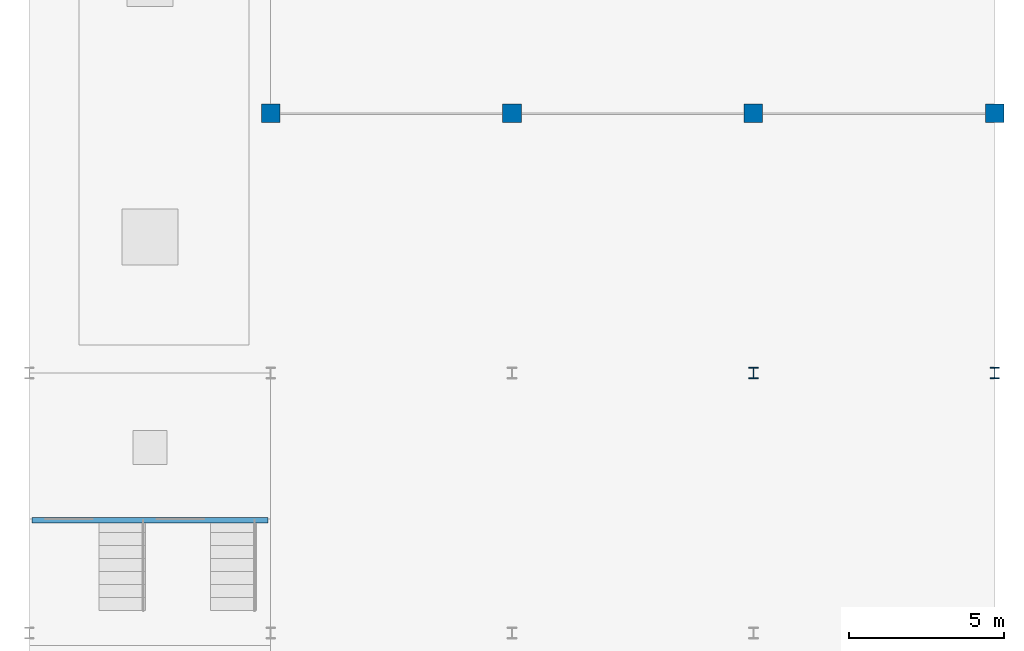
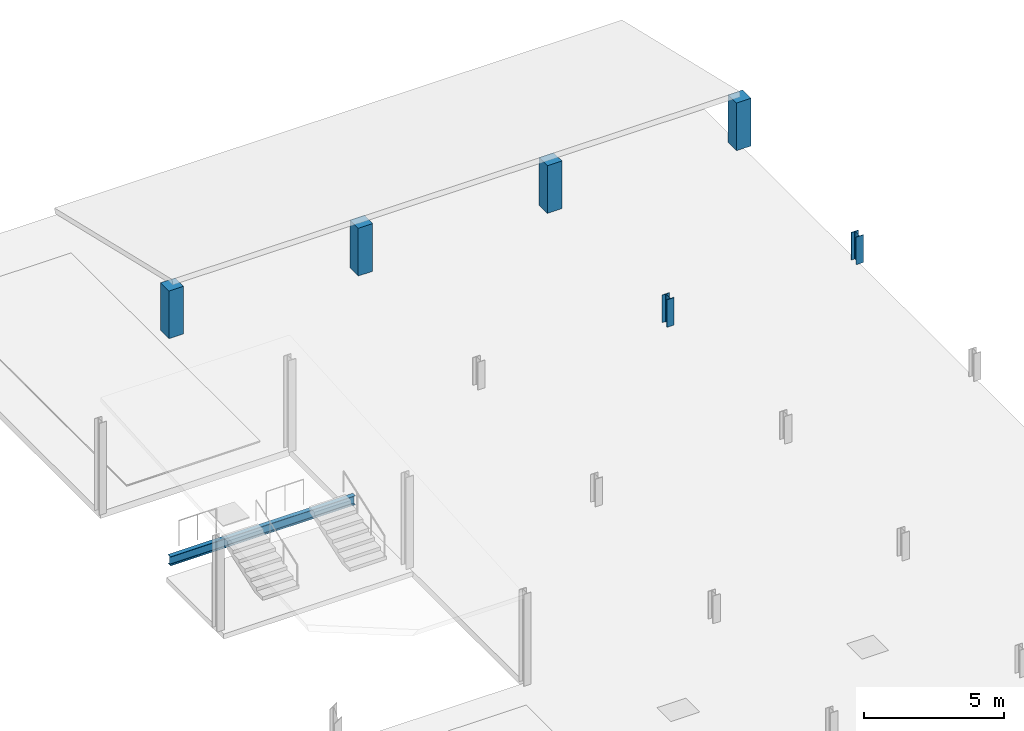
# One storey, part 2 of 4: 6 columns, 1 beam.
"""IFC4 building model written with IfcOpenShell, lengths in metres."""

import ifcopenshell
import ifcopenshell.guid

model = None  # the IFC model being written
_history = None  # IfcOwnerHistory: only IFC2X3 demands one
_inside = {}  # id of a spatial element -> (the spatial element, [elements in it])
_under = {}  # id of a project, library or spatial element -> (it, [spatial elements below it])
_declared = {}  # id of a project -> (the project, [libraries it declares])
_typed = {}  # id of a type object -> (the type object, [elements of that type])
_made_of = {}  # id of a material, layer set ... -> (it, [elements and type objects made of it])


def new_model(schema):
    """Start an empty IFC model of exactly this schema.

    Asked for "IFC4X3", IfcOpenShell would pick the latest addendum, in which some entities
    have other attributes; the version numbers below select the first issue.
    IFC2X3 requires an IfcOwnerHistory on every rooted entity: one is made here for all.
    """
    global model, _history
    if schema == "IFC4X3":
        model = ifcopenshell.file(schema_version=(4, 3, 0, 0))
    else:
        model = ifcopenshell.file(schema=schema)
    _inside.clear()
    _under.clear()
    _declared.clear()
    _typed.clear()
    _made_of.clear()
    _history = None
    if model.schema == "IFC2X3":
        org = make("IfcOrganization", Name="unknown")
        user = make(
            "IfcPersonAndOrganization",
            ThePerson=make("IfcPerson", FamilyName="unknown"),
            TheOrganization=org,
        )
        app = make(
            "IfcApplication",
            ApplicationDeveloper=org,
            Version="unknown",
            ApplicationFullName="unknown",
            ApplicationIdentifier="unknown",
        )
        _history = make(
            "IfcOwnerHistory",
            OwningUser=user,
            OwningApplication=app,
            ChangeAction="ADDED",
            CreationDate=0,
        )
    return model


def make(cls, **values):
    """One entity of the class cls with the attributes given. An attribute that is None is left unset."""
    return model.create_entity(
        cls, **{name: value for name, value in values.items() if value is not None}
    )


def rooted(cls, **values):
    """An entity with a GlobalId (a new one), such as an element, a storey or a relation."""
    return make(cls, GlobalId=ifcopenshell.guid.new(), OwnerHistory=_history, **values)


def si_unit(unit_type, name, prefix=None):
    """IfcSIUnit, for example si_unit("LENGTHUNIT", "METRE", prefix="MILLI")."""
    return make("IfcSIUnit", UnitType=unit_type, Prefix=prefix, Name=name)


def assignment(units):
    """IfcUnitAssignment: the units of a project."""
    return None if units is None else make("IfcUnitAssignment", Units=units)


def point(xyz):
    """IfcCartesianPoint."""
    return None if xyz is None else make("IfcCartesianPoint", Coordinates=xyz)


def direction(xyz):
    """IfcDirection."""
    return None if xyz is None else make("IfcDirection", DirectionRatios=xyz)


def frame(location, z_axis=None, x_axis=None):
    """IfcAxis2Placement3D, a coordinate frame: its origin and axes. An axis left out is left unset."""
    return make(
        "IfcAxis2Placement3D",
        Location=point(location),
        Axis=direction(z_axis),
        RefDirection=direction(x_axis),
    )


def frame_2d(location, x_axis=None):
    """IfcAxis2Placement2D, a coordinate frame in the plane: its origin and x axis."""
    return make(
        "IfcAxis2Placement2D", Location=point(location), RefDirection=direction(x_axis)
    )


def origin():
    """The frame at (0, 0, 0) with its axes left unset."""
    return frame((0.0, 0.0, 0.0))


def origin_2d():
    """The frame at (0, 0) in the plane with its x axis left unset."""
    return frame_2d((0.0, 0.0))


def place(relative_to, where):
    """IfcLocalPlacement: puts the frame where relative to a parent placement (None: the world)."""
    return make(
        "IfcLocalPlacement", PlacementRelTo=relative_to, RelativePlacement=where
    )


def context(
    kind, dimensions, precision=None, world=None, true_north=None, identifier=None
):
    """IfcGeometricRepresentationContext, for example the 3D "Model" context."""
    return make(
        "IfcGeometricRepresentationContext",
        ContextIdentifier=identifier,
        ContextType=kind,
        CoordinateSpaceDimension=dimensions,
        Precision=precision,
        WorldCoordinateSystem=world,
        TrueNorth=true_north,
    )


def subcontext(parent, identifier, kind, view, scale=None):
    """IfcGeometricRepresentationSubContext, for example "Body" below "Model"."""
    return make(
        "IfcGeometricRepresentationSubContext",
        ContextIdentifier=identifier,
        ContextType=kind,
        ParentContext=parent,
        TargetScale=scale,
        TargetView=view,
    )


def project(units=None, contexts=None):
    """IfcProject with its units and contexts."""
    return rooted(
        "IfcProject",
        Name="project",
        RepresentationContexts=contexts,
        UnitsInContext=assignment(units),
    )


def spatial(cls, under=None, at=None, **own):
    """A site, building, storey or space (cls), placed at a placement, below another one or the project."""
    s = rooted(cls, ObjectPlacement=at, **own)
    if under is not None:
        _under.setdefault(under.id(), (under, []))[1].append(s)
    return s


def profile(cls, at=None, kind="AREA", **sizes):
    """A parametric profile (cls). Its sizes go by their IFC names, for example OverallWidth=200.0."""
    return make(cls, ProfileType=kind, Position=at, **sizes)


def rectangle(**sizes):
    """IfcRectangleProfileDef."""
    return profile("IfcRectangleProfileDef", **sizes)


def i_section(**sizes):
    """IfcIShapeProfileDef."""
    return profile("IfcIShapeProfileDef", **sizes)


def extrude(swept, where, along, depth):
    """IfcExtrudedAreaSolid: the profile swept, set in the frame where, extruded along a direction by depth."""
    return make(
        "IfcExtrudedAreaSolid",
        SweptArea=swept,
        Position=where,
        ExtrudedDirection=direction(along),
        Depth=depth,
    )


def shape(context_of_items, identifier, shape_type, items):
    """IfcShapeRepresentation: the items that make up one representation, for example the "Body"."""
    return make(
        "IfcShapeRepresentation",
        ContextOfItems=context_of_items,
        RepresentationIdentifier=identifier,
        RepresentationType=shape_type,
        Items=items,
    )


def material(Name=None, Category=None):
    """IfcMaterial."""
    return make("IfcMaterial", Name=Name, Category=Category)


def material_profile(
    of_material, cross_section, Name=None, Category=None, Priority=None
):
    """IfcMaterialProfile: a cross section and its material."""
    return make(
        "IfcMaterialProfile",
        Name=Name,
        Material=of_material,
        Profile=cross_section,
        Priority=Priority,
        Category=Category,
    )


def profile_set(profiles, Name=None, composite=None):
    """IfcMaterialProfileSet."""
    return make(
        "IfcMaterialProfileSet",
        Name=Name,
        MaterialProfiles=profiles,
        CompositeProfile=composite,
    )


def made_of(thing, what):
    """Note that an element or type object is made of a material, layer set ...; save() writes the relation."""
    if what is not None:
        _made_of.setdefault(what.id(), (what, []))[1].append(thing)
    return thing


def type_object(cls, material=None, **own):
    """A type object (cls), such as IfcWallType, which elements share."""
    return made_of(rooted(cls, **own), material)


def element(
    cls,
    number,
    at=None,
    inside=None,
    cuts=None,
    type_object=None,
    material=None,
    context=None,
    identifier="Body",
    shape_type=None,
    held_by="IfcProductDefinitionShape",
    body=None,
    shapes=None,
    **own,
):
    """One element of the class cls, such as IfcWall. Its Tag is "e" and its number.

    at: its placement. inside: the storey or other place that contains it. cuts: it is an
    opening in that element (IfcRelVoidsElement). A single representation is given by context,
    identifier, shape_type and body (its items); several are given by shapes. held_by: the class
    of the entity that holds the representations. save() writes the other relations.
    """
    e = rooted(cls, Tag="e%d" % number, ObjectPlacement=at, **own)
    if body is not None:
        shapes = [shape(context, identifier, shape_type, body)]
    if shapes is not None:
        e.Representation = make(held_by, Representations=shapes)
    if inside is not None:
        _inside.setdefault(inside.id(), (inside, []))[1].append(e)
    if cuts is not None:
        rooted(
            "IfcRelVoidsElement", RelatingBuildingElement=cuts, RelatedOpeningElement=e
        )
    if type_object is not None:
        _typed.setdefault(type_object.id(), (type_object, []))[1].append(e)
    return made_of(e, material)


def aggregate(whole, parts):
    """IfcRelAggregates: a whole, such as a stair, and the parts it consists of."""
    return rooted("IfcRelAggregates", RelatingObject=whole, RelatedObjects=parts)


def save(model, path):
    """Write the relations noted so far, then the file.

    IfcRelAggregates (storeys below a building ...), IfcRelContainedInSpatialStructure (elements
    in a storey), IfcRelDefinesByType, IfcRelAssociatesMaterial and IfcRelDeclares: one each for
    every whole, place, type object, material and project.
    """
    for whole, parts in _under.values():
        aggregate(whole, parts)
    for where, things in _inside.values():
        rooted(
            "IfcRelContainedInSpatialStructure",
            RelatedElements=things,
            RelatingStructure=where,
        )
    for kind, things in _typed.values():
        rooted("IfcRelDefinesByType", RelatedObjects=things, RelatingType=kind)
    for what, things in _made_of.values():
        rooted("IfcRelAssociatesMaterial", RelatedObjects=things, RelatingMaterial=what)
    for by, libraries in _declared.values():
        rooted("IfcRelDeclares", RelatingContext=by, RelatedDefinitions=libraries)
    model.write(path)


model = new_model("IFC4")

# Units and contexts
model_context = context("Model", 3, precision=1e-05, world=origin(), true_north=direction((0.0, 1.0)))
body_context = subcontext(model_context, "Body", "Model", "MODEL_VIEW")
ifc_project = project(units=[si_unit("LENGTHUNIT", "METRE"), si_unit("AREAUNIT", "SQUARE_METRE"), si_unit("VOLUMEUNIT", "CUBIC_METRE"), si_unit("PLANEANGLEUNIT", "RADIAN"), si_unit("MASSUNIT", "GRAM", prefix="KILO"), si_unit("THERMODYNAMICTEMPERATUREUNIT", "KELVIN"), si_unit("POWERUNIT", "WATT")], contexts=[model_context])

# Site, building, storey
site_placement = place(None, origin())
site = spatial("IfcSite", under=ifc_project, at=site_placement, CompositionType="ELEMENT")
building_placement = place(site_placement, origin())
building = spatial("IfcBuilding", under=site, at=building_placement, Name="Srebrne Nadtorze General Hospital", CompositionType="ELEMENT")
storey_placement = place(building_placement, frame((0.0, 0.0, 37.800048828125)))
storey = spatial("IfcBuildingStorey", under=building, at=storey_placement, Name="ROOF", CompositionType="ELEMENT", Elevation=37.800048828125)

# Columns
ifc_material_1 = material(Name="Concrete C35/45", Category="concrete")
ifc_material_profile_1 = material_profile(ifc_material_1, rectangle(XDim=0.60009765625, YDim=0.60009765625, at=origin_2d()), Name="RC-COL-600x600")
ifc_profile_set_1 = profile_set([ifc_material_profile_1], Name="Concrete C35/45")
column_type_1 = type_object("IfcColumnType", Name="Reinforced concrete column 600x600", PredefinedType="COLUMN", material=ifc_profile_set_1)
for number, where, z_axis, x_axis, name in (
    (1, (31.199951171875, 84.0, 0.0), (0.0, 0.0, 1.0), (1.0, 0.0, 0.0), "Pavilion roof ridge column WWD 06"),
    (2, (39.0, 84.0, 0.0), (0.0, 0.0, 1.0), (1.0, 0.0, 0.0), "Pavilion roof ridge column WWD 07"),
    (3, (46.800048828125, 84.0, 0.0), (0.0, 0.0, 1.0), (1.0, 0.0, 0.0), "Pavilion roof ridge column WWD 08"),
    (4, (54.60009765625, 84.0, 0.0), (0.0, 0.0, 1.0), (1.0, 0.0, 0.0), "Pavilion roof ridge column WWD 09"),
):
    element("IfcColumn", number, at=place(storey_placement, frame(where, z_axis=z_axis, x_axis=x_axis)), inside=storey, type_object=column_type_1, Name=name, PredefinedType="COLUMN", context=body_context, shape_type="SweptSolid", body=[
        extrude(rectangle(XDim=0.60009765625, YDim=0.60009765625, at=origin_2d()), origin(), (0.0, 0.0, 1.0), 2.079833984375),
    ])
ifc_material_2 = material(Name="Steel S355J2", Category="steel")
ifc_material_profile_2 = material_profile(ifc_material_2, i_section(OverallWidth=0.300048828125, OverallDepth=0.360107421875, WebThickness=0.012451171875, FlangeThickness=0.0224609375, FilletRadius=0.027099609375, at=origin_2d()), Name="HEB-360")
ifc_profile_set_2 = profile_set([ifc_material_profile_2], Name="Steel S355J2")
column_type_2 = type_object("IfcColumnType", Name="Steel column HEB 360", PredefinedType="COLUMN", material=ifc_profile_set_2)
for number, where, z_axis, x_axis, name in (
    (5, (46.800048828125, 75.60009765625, 0.0), (0.0, 0.0, 1.0), (1.0, 0.0, 0.0), "Helipad steel column 7-K"),
    (6, (54.60009765625, 75.60009765625, 0.0), (0.0, 0.0, 1.0), (1.0, 0.0, 0.0), "Helipad steel column 8-K"),
):
    element("IfcColumn", number, at=place(storey_placement, frame(where, z_axis=z_axis, x_axis=x_axis)), inside=storey, type_object=column_type_2, Name=name, PredefinedType="COLUMN", context=body_context, shape_type="SweptSolid", body=[
        extrude(i_section(OverallWidth=0.300048828125, OverallDepth=0.360107421875, WebThickness=0.012451171875, FlangeThickness=0.0224609375, FilletRadius=0.027099609375, at=origin_2d()), origin(), (0.0, 0.0, 1.0), 1.199951171875),
    ])

# Beam
ifc_material_3 = material(Name="Steel S355J2", Category="steel")
ifc_material_profile_3 = material_profile(ifc_material_3, i_section(OverallWidth=0.179931640625, OverallDepth=0.39990234375, WebThickness=0.008544921875, FlangeThickness=0.013427734375, FilletRadius=0.02099609375, at=origin_2d()), Name="IPE-400")
ifc_profile_set_3 = profile_set([ifc_material_profile_3], Name="Steel S355J2")
beam_type = type_object("IfcBeamType", Name="Helipad beam IPE 400", PredefinedType="BEAM", material=ifc_profile_set_3)
beam_placement = place(storey_placement, frame((23.489990234375, 70.840087890625, 0.739990234375), z_axis=(1.0, 0.0, 0.0), x_axis=(0.0, 1.0, 0.0)))
element("IfcBeam", 7, at=beam_placement, inside=storey, type_object=beam_type, Name="Helipad upper vestibule header beam", PredefinedType="BEAM", context=body_context, shape_type="SweptSolid", body=[
    extrude(i_section(OverallWidth=0.179931640625, OverallDepth=0.39990234375, WebThickness=0.008544921875, FlangeThickness=0.013427734375, FilletRadius=0.02099609375, at=origin_2d()), origin(), (0.0, 0.0, 1.0), 7.6201171875),
])

save(model, "model.ifc")
